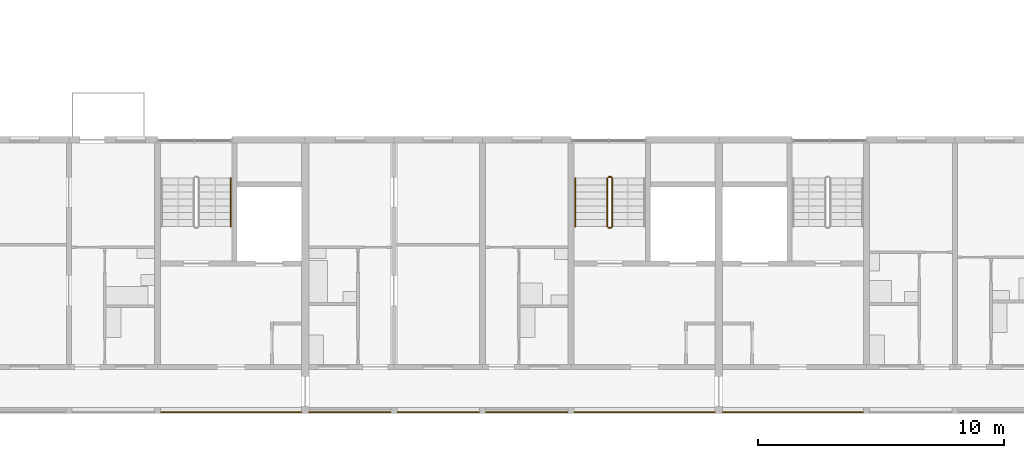
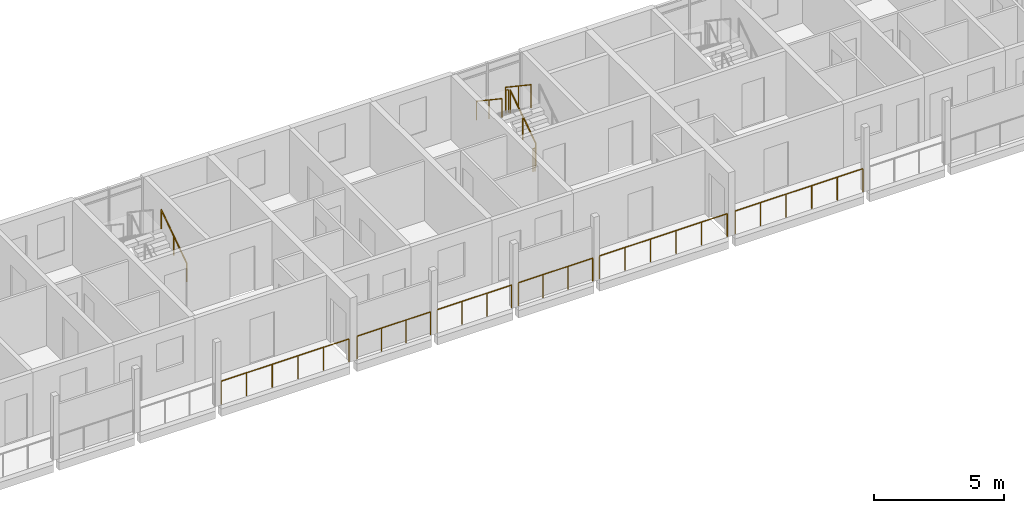
# One storey, part 77 of 93: 12 railings.
"""IFC4 building model written with IfcOpenShell, lengths in metres."""

from ifc_helpers import new_model, si_unit, direction, frame, origin, origin_2d, place, context, subcontext, project, spatial, circle, extrude, material, type_object, element, save


model = new_model("IFC4")

# Units and contexts
model_context = context("Model", 3, precision=1e-05, world=origin(), true_north=direction((0.0, 1.0)))
body_context = subcontext(model_context, "Body", "Model", "MODEL_VIEW")
ifc_project = project(units=[si_unit("LENGTHUNIT", "METRE"), si_unit("AREAUNIT", "SQUARE_METRE"), si_unit("VOLUMEUNIT", "CUBIC_METRE"), si_unit("PLANEANGLEUNIT", "RADIAN"), si_unit("MASSUNIT", "GRAM", prefix="KILO")], contexts=[model_context])

# Site, building, storey
site_placement = place(None, origin())
site = spatial("IfcSite", under=ifc_project, at=site_placement, CompositionType="ELEMENT")
building_placement = place(site_placement, origin())
building = spatial("IfcBuilding", under=site, at=building_placement, Name="Ridgestep Commons", CompositionType="ELEMENT")
storey_placement = place(building_placement, frame((0.0, 0.0, 18.0)))
storey = spatial("IfcBuildingStorey", under=building, at=storey_placement, Name="L06", CompositionType="ELEMENT", Elevation=18.0)

# Railings
ifc_material_1 = material(Name="Structural steel S355JR", Category="steel")
railing_type_1 = type_object("IfcRailingType", Name="Guard 1100", PredefinedType="GUARDRAIL", material=ifc_material_1)
railing_1_placement = place(storey_placement, frame((73.345947265625, 11.800048828125, 0.0)))
element("IfcRailing", 1, at=railing_1_placement, inside=storey, type_object=railing_type_1, Name="Gallery guard A 06.16", PredefinedType="GUARDRAIL", context=body_context, shape_type="SweptSolid", body=[
    extrude(circle(Radius=0.02392578125, at=origin_2d()), frame((0.0, 0.0, 1.076171875), z_axis=(1.0, 0.0, 0.0), x_axis=(0.0, 1.0, 0.0)), (0.0, 0.0, 1.0), 5.68310546875),
    extrude(circle(Radius=0.02099609375, at=origin_2d()), origin(), (0.0, 0.0, 1.0), 1.052001953125),
    extrude(circle(Radius=0.02099609375, at=origin_2d()), frame((1.13671875, 0.0, 0.0)), (0.0, 0.0, 1.0), 1.052001953125),
    extrude(circle(Radius=0.02099609375, at=origin_2d()), frame((2.273193359375, 0.0, 0.0)), (0.0, 0.0, 1.0), 1.052001953125),
    extrude(circle(Radius=0.02099609375, at=origin_2d()), frame((3.409912109375, 0.0, 0.0)), (0.0, 0.0, 1.0), 1.052001953125),
    extrude(circle(Radius=0.02099609375, at=origin_2d()), frame((4.54638671875, 0.0, 0.0)), (0.0, 0.0, 1.0), 1.052001953125),
    extrude(circle(Radius=0.02099609375, at=origin_2d()), frame((5.68310546875, 0.0, 0.0)), (0.0, 0.0, 1.0), 1.052001953125),
])
railing_2_placement = place(storey_placement, frame((79.37109375, 11.800048828125, 0.0)))
element("IfcRailing", 2, at=railing_2_placement, inside=storey, type_object=railing_type_1, Name="Gallery guard A 06.17", PredefinedType="GUARDRAIL", context=body_context, shape_type="SweptSolid", body=[
    extrude(circle(Radius=0.02392578125, at=origin_2d()), frame((0.0, 0.0, 1.076171875), z_axis=(1.0, 0.0, 0.0), x_axis=(0.0, 1.0, 0.0)), (0.0, 0.0, 1.0), 3.282958984375),
    extrude(circle(Radius=0.02099609375, at=origin_2d()), origin(), (0.0, 0.0, 1.0), 1.052001953125),
    extrude(circle(Radius=0.02099609375, at=origin_2d()), frame((1.09423828125, 0.0, 0.0)), (0.0, 0.0, 1.0), 1.052001953125),
    extrude(circle(Radius=0.02099609375, at=origin_2d()), frame((2.188720703125, 0.0, 0.0)), (0.0, 0.0, 1.0), 1.052001953125),
    extrude(circle(Radius=0.02099609375, at=origin_2d()), frame((3.282958984375, 0.0, 0.0)), (0.0, 0.0, 1.0), 1.052001953125),
])
railing_3_placement = place(storey_placement, frame((82.946044921875, 11.800048828125, 0.0)))
element("IfcRailing", 3, at=railing_3_placement, inside=storey, type_object=railing_type_1, Name="Gallery guard A 06.18", PredefinedType="GUARDRAIL", context=body_context, shape_type="SweptSolid", body=[
    extrude(circle(Radius=0.02392578125, at=origin_2d()), frame((0.0, 0.0, 1.076171875), z_axis=(1.0, 0.0, 0.0), x_axis=(0.0, 1.0, 0.0)), (0.0, 0.0, 1.0), 3.307861328125),
    extrude(circle(Radius=0.02099609375, at=origin_2d()), origin(), (0.0, 0.0, 1.0), 1.052001953125),
    extrude(circle(Radius=0.02099609375, at=origin_2d()), frame((1.1025390625, 0.0, 0.0)), (0.0, 0.0, 1.0), 1.052001953125),
    extrude(circle(Radius=0.02099609375, at=origin_2d()), frame((2.205322265625, 0.0, 0.0)), (0.0, 0.0, 1.0), 1.052001953125),
    extrude(circle(Radius=0.02099609375, at=origin_2d()), frame((3.307861328125, 0.0, 0.0)), (0.0, 0.0, 1.0), 1.052001953125),
])
railing_4_placement = place(storey_placement, frame((86.5458984375, 11.800048828125, 0.0)))
element("IfcRailing", 4, at=railing_4_placement, inside=storey, type_object=railing_type_1, Name="Gallery guard A 06.19", PredefinedType="GUARDRAIL", context=body_context, shape_type="SweptSolid", body=[
    extrude(circle(Radius=0.02392578125, at=origin_2d()), frame((0.0, 0.0, 1.076171875), z_axis=(1.0, 0.0, 0.0), x_axis=(0.0, 1.0, 0.0)), (0.0, 0.0, 1.0), 3.30810546875),
    extrude(circle(Radius=0.02099609375, at=origin_2d()), origin(), (0.0, 0.0, 1.0), 1.052001953125),
    extrude(circle(Radius=0.02099609375, at=origin_2d()), frame((1.102783203125, 0.0, 0.0)), (0.0, 0.0, 1.0), 1.052001953125),
    extrude(circle(Radius=0.02099609375, at=origin_2d()), frame((2.205322265625, 0.0, 0.0)), (0.0, 0.0, 1.0), 1.052001953125),
    extrude(circle(Radius=0.02099609375, at=origin_2d()), frame((3.30810546875, 0.0, 0.0)), (0.0, 0.0, 1.0), 1.052001953125),
])
for number, where, name in (
    (5, (90.14599609375, 11.800048828125, 0.0), "Gallery guard A 06.20"),
    (6, (96.1708984375, 11.800048828125, 0.0), "Gallery guard A 06.21"),
):
    element("IfcRailing", number, at=place(storey_placement, frame(where)), inside=storey, type_object=railing_type_1, Name=name, PredefinedType="GUARDRAIL", context=body_context, shape_type="SweptSolid", body=[
        extrude(circle(Radius=0.02392578125, at=origin_2d()), frame((0.0, 0.0, 1.076171875), z_axis=(1.0, 0.0, 0.0), x_axis=(0.0, 1.0, 0.0)), (0.0, 0.0, 1.0), 5.68310546875),
        extrude(circle(Radius=0.02099609375, at=origin_2d()), origin(), (0.0, 0.0, 1.0), 1.052001953125),
        extrude(circle(Radius=0.02099609375, at=origin_2d()), frame((1.13671875, 0.0, 0.0)), (0.0, 0.0, 1.0), 1.052001953125),
        extrude(circle(Radius=0.02099609375, at=origin_2d()), frame((2.273193359375, 0.0, 0.0)), (0.0, 0.0, 1.0), 1.052001953125),
        extrude(circle(Radius=0.02099609375, at=origin_2d()), frame((3.409912109375, 0.0, 0.0)), (0.0, 0.0, 1.0), 1.052001953125),
        extrude(circle(Radius=0.02099609375, at=origin_2d()), frame((4.54638671875, 0.0, 0.0)), (0.0, 0.0, 1.0), 1.052001953125),
        extrude(circle(Radius=0.02099609375, at=origin_2d()), frame((5.68310546875, 0.0, 0.0)), (0.0, 0.0, 1.0), 1.052001953125),
    ])
ifc_material_2 = material(Name="Structural steel S355JR", Category="steel")
railing_type_2 = type_object("IfcRailingType", Name="Stair guard 1100", PredefinedType="GUARDRAIL", material=ifc_material_2)
railing_5_placement = place(storey_placement, frame((91.675048828125, 19.35009765625, 0.1875)))
element("IfcRailing", 7, at=railing_5_placement, inside=storey, type_object=railing_type_2, Name="L06 A5C stair guard 1", PredefinedType="GUARDRAIL", context=body_context, shape_type="SweptSolid", body=[
    extrude(circle(Radius=0.02392578125, at=origin_2d()), frame((0.0, 0.0, 1.076171875), z_axis=(0.0, 0.830902050051, 0.556418712142), x_axis=(-1.0, 0.0, 0.0)), (0.0, 0.0, 1.0), 2.35888671875),
    extrude(circle(Radius=0.02099609375, at=origin_2d()), origin(), (0.0, 0.0, 1.0), 1.052001953125),
    extrude(circle(Radius=0.02099609375, at=origin_2d()), frame((0.0, 0.97998046875, 0.65625)), (0.0, 0.0, 1.0), 1.052001953125),
    extrude(circle(Radius=0.02099609375, at=origin_2d()), frame((0.0, 1.9599609375, 1.3125)), (0.0, 0.0, 1.0), 1.052001953125),
])
railing_6_placement = place(storey_placement, frame((91.625, 21.360107421875, 1.5)))
element("IfcRailing", 8, at=railing_6_placement, inside=storey, type_object=railing_type_2, Name="L06 A5C stair guard 2", PredefinedType="GUARDRAIL", context=body_context, shape_type="SweptSolid", body=[
    extrude(circle(Radius=0.02392578125, at=origin_2d()), frame((0.0, 0.0, 1.076171875), z_axis=(-1.0, 0.0, 0.0), x_axis=(0.0, -1.0, 0.0)), (0.0, 0.0, 1.0), 0.10009765625),
    extrude(circle(Radius=0.02099609375, at=origin_2d()), origin(), (0.0, 0.0, 1.0), 1.052001953125),
    extrude(circle(Radius=0.02099609375, at=origin_2d()), frame((-0.10009765625, 0.0, 0.0)), (0.0, 0.0, 1.0), 1.052001953125),
])
railing_7_placement = place(storey_placement, frame((91.47509765625, 21.31005859375, 1.6875)))
element("IfcRailing", 9, at=railing_7_placement, inside=storey, type_object=railing_type_2, Name="L06 A5C stair guard 3", PredefinedType="GUARDRAIL", context=body_context, shape_type="SweptSolid", body=[
    extrude(circle(Radius=0.02392578125, at=origin_2d()), frame((0.0, 0.0, 1.076171875), z_axis=(0.0, -0.830902050051, 0.556418712142), x_axis=(1.0, 0.0, 0.0)), (0.0, 0.0, 1.0), 2.35888671875),
    extrude(circle(Radius=0.02099609375, at=origin_2d()), origin(), (0.0, 0.0, 1.0), 1.052001953125),
    extrude(circle(Radius=0.02099609375, at=origin_2d()), frame((0.0, -0.97998046875, 0.65625)), (0.0, 0.0, 1.0), 1.052001953125),
    extrude(circle(Radius=0.02099609375, at=origin_2d()), frame((0.0, -1.9599609375, 1.3125)), (0.0, 0.0, 1.0), 1.052001953125),
])
railing_8_placement = place(storey_placement, frame((91.625, 19.300048828125, 0.0)))
element("IfcRailing", 10, at=railing_8_placement, inside=storey, type_object=railing_type_2, Name="L06 A5C stair guard 4", PredefinedType="GUARDRAIL", context=body_context, shape_type="SweptSolid", body=[
    extrude(circle(Radius=0.02392578125, at=origin_2d()), frame((0.0, 0.0, 1.076171875), z_axis=(-1.0, 0.0, 0.0), x_axis=(0.0, -1.0, 0.0)), (0.0, 0.0, 1.0), 0.10009765625),
    extrude(circle(Radius=0.02099609375, at=origin_2d()), origin(), (0.0, 0.0, 1.0), 1.052001953125),
    extrude(circle(Radius=0.02099609375, at=origin_2d()), frame((-0.10009765625, 0.0, 0.0)), (0.0, 0.0, 1.0), 1.052001953125),
])
ifc_material_3 = material(Name="Structural steel S355JR", Category="steel")
railing_type_3 = type_object("IfcRailingType", Name="Stair handrail 900", PredefinedType="HANDRAIL", material=ifc_material_3)
railing_9_placement = place(storey_placement, frame((76.175048828125, 19.35009765625, 0.1875)))
element("IfcRailing", 11, at=railing_9_placement, inside=storey, type_object=railing_type_3, Name="L06 A4C stair handrail 1", PredefinedType="HANDRAIL", context=body_context, shape_type="SweptSolid", body=[
    extrude(circle(Radius=0.02392578125, at=origin_2d()), frame((0.0, 0.0, 0.8759765625), z_axis=(0.0, 0.830902050051, 0.556418712142), x_axis=(-1.0, 0.0, 0.0)), (0.0, 0.0, 1.0), 2.35888671875),
    extrude(circle(Radius=0.02099609375, at=origin_2d()), origin(), (0.0, 0.0, 1.0), 0.851806640625),
    extrude(circle(Radius=0.02099609375, at=origin_2d()), frame((0.0, 0.97998046875, 0.65625)), (0.0, 0.0, 1.0), 0.851806640625),
    extrude(circle(Radius=0.02099609375, at=origin_2d()), frame((0.0, 1.9599609375, 1.3125)), (0.0, 0.0, 1.0), 0.851806640625),
])
railing_10_placement = place(storey_placement, frame((90.175048828125, 21.31005859375, 1.6875)))
element("IfcRailing", 12, at=railing_10_placement, inside=storey, type_object=railing_type_3, Name="L06 A5C stair handrail 2", PredefinedType="HANDRAIL", context=body_context, shape_type="SweptSolid", body=[
    extrude(circle(Radius=0.02392578125, at=origin_2d()), frame((0.0, 0.0, 0.8759765625), z_axis=(0.0, -0.830902050051, 0.556418712142), x_axis=(1.0, 0.0, 0.0)), (0.0, 0.0, 1.0), 2.35888671875),
    extrude(circle(Radius=0.02099609375, at=origin_2d()), origin(), (0.0, 0.0, 1.0), 0.851806640625),
    extrude(circle(Radius=0.02099609375, at=origin_2d()), frame((0.0, -0.97998046875, 0.65625)), (0.0, 0.0, 1.0), 0.851806640625),
    extrude(circle(Radius=0.02099609375, at=origin_2d()), frame((0.0, -1.9599609375, 1.3125)), (0.0, 0.0, 1.0), 0.851806640625),
])

save(model, "model.ifc")
